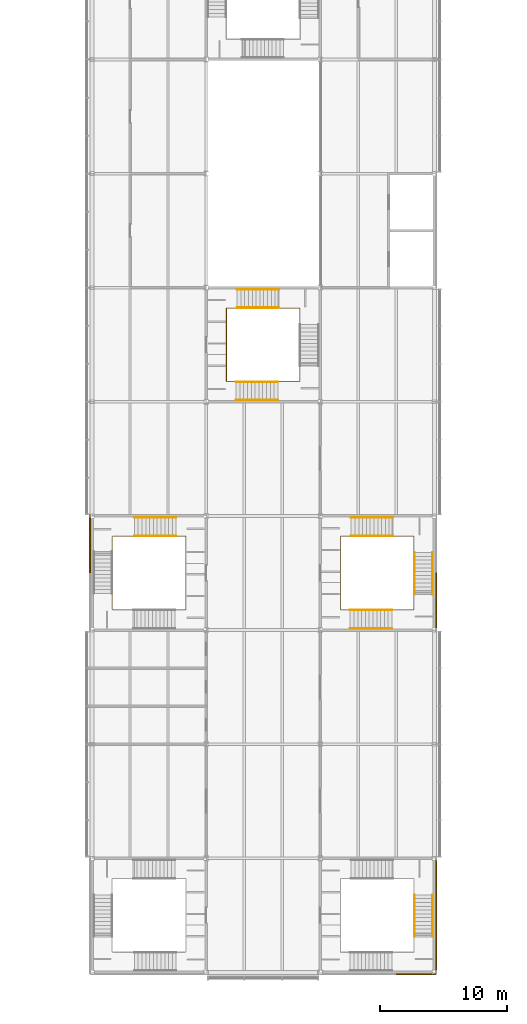
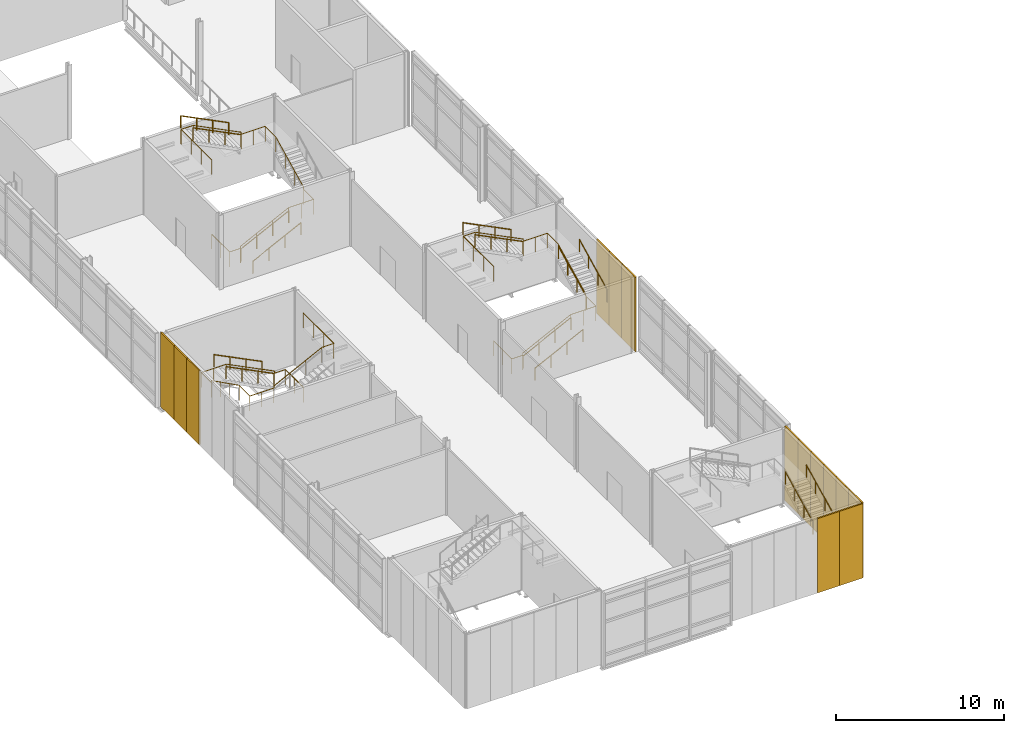
# One storey, part 46 of 53: 17 railings, 14 coverings.
"""IFC4 building model written with IfcOpenShell, lengths in metres."""

from ifc_helpers import new_model, si_unit, direction, frame, origin, origin_2d, place, context, subcontext, project, spatial, rectangle, circle, extrude, material, layer, layer_set, type_object, element, save


model = new_model("IFC4")

# Units and contexts
model_context = context("Model", 3, precision=1e-05, world=origin(), true_north=direction((0.0, 1.0)))
body_context = subcontext(model_context, "Body", "Model", "MODEL_VIEW")
ifc_project = project(units=[si_unit("LENGTHUNIT", "METRE"), si_unit("AREAUNIT", "SQUARE_METRE"), si_unit("VOLUMEUNIT", "CUBIC_METRE"), si_unit("PLANEANGLEUNIT", "RADIAN"), si_unit("MASSUNIT", "GRAM", prefix="KILO")], contexts=[model_context])

# Site, building, storey
site_placement = place(None, origin())
site = spatial("IfcSite", under=ifc_project, at=site_placement, CompositionType="ELEMENT")
building_placement = place(site_placement, origin())
building = spatial("IfcBuilding", under=site, at=building_placement, Name="Azimuth Sports and Learning Centre", CompositionType="ELEMENT")
storey_placement = place(building_placement, frame((0.0, 0.0, 10.800048828125)))
storey = spatial("IfcBuildingStorey", under=building, at=storey_placement, Name="L02", CompositionType="ELEMENT", Elevation=10.800048828125)

# Coverings
ifc_material_1 = material(Name="Cladding panel")
ifc_layer = layer(ifc_material_1, 0.10009765625)
ifc_layer_set = layer_set([ifc_layer], Name="Cladding panel")
covering_type = type_object("IfcCoveringType", Name="Cladding panel 100", PredefinedType="CLADDING", material=ifc_layer_set)
covering_placement = place(storey_placement, frame((71.85009765625, 35.300048828125, 0.0), z_axis=(0.0, 0.0, 1.0), x_axis=(0.0, -1.0, 0.0)))
element("IfcCovering", 1, at=covering_placement, inside=storey, type_object=covering_type, Name="Cladding panel W-ST3 L02 1", PredefinedType="CLADDING", context=body_context, shape_type="SweptSolid", body=[
    extrude(rectangle(XDim=1.60009765625, YDim=0.10009765625, at=origin_2d()), origin(), (0.0, 0.0, 1.0), 5.39990234375),
])
for number, where, z_axis, x_axis, name in (
    (2, (71.85009765625, 33.75, 0.0), (0.0, 0.0, 1.0), (0.0, -1.0, 0.0), "Cladding panel W-ST3 L02 2"),
    (3, (71.85009765625, 32.25, 0.0), (0.0, 0.0, 1.0), (0.0, -1.0, 0.0), "Cladding panel W-ST3 L02 3"),
    (4, (96.75, -0.14990234375, 0.0), (0.0, 0.0, 1.0), (1.0, 0.0, 0.0), "Cladding panel S-ST2 L02 5"),
):
    element("IfcCovering", number, at=place(storey_placement, frame(where, z_axis=z_axis, x_axis=x_axis)), inside=storey, type_object=covering_type, Name=name, PredefinedType="CLADDING", context=body_context, shape_type="SweptSolid", body=[
        extrude(rectangle(XDim=1.5, YDim=0.10009765625, at=origin_2d()), origin(), (0.0, 0.0, 1.0), 5.39990234375),
    ])
for number, where, z_axis, x_axis, name in (
    (5, (98.300048828125, -0.14990234375, 0.0), (0.0, 0.0, 1.0), (1.0, 0.0, 0.0), "Cladding panel S-ST2 L02 6"),
    (6, (99.14990234375, 0.699951171875, 0.0), (0.0, 0.0, 1.0), (0.0, 1.0, 0.0), "Cladding panel E-ST2 L02 1"),
):
    element("IfcCovering", number, at=place(storey_placement, frame(where, z_axis=z_axis, x_axis=x_axis)), inside=storey, type_object=covering_type, Name=name, PredefinedType="CLADDING", context=body_context, shape_type="SweptSolid", body=[
        extrude(rectangle(XDim=1.60009765625, YDim=0.10009765625, at=origin_2d()), origin(), (0.0, 0.0, 1.0), 5.39990234375),
    ])
for number, where, z_axis, x_axis, name in (
    (7, (99.14990234375, 2.25, 0.0), (0.0, 0.0, 1.0), (0.0, 1.0, 0.0), "Cladding panel E-ST2 L02 2"),
    (8, (99.14990234375, 3.75, 0.0), (0.0, 0.0, 1.0), (0.0, 1.0, 0.0), "Cladding panel E-ST2 L02 3"),
    (9, (99.14990234375, 5.25, 0.0), (0.0, 0.0, 1.0), (0.0, 1.0, 0.0), "Cladding panel E-ST2 L02 4"),
    (10, (99.14990234375, 6.75, 0.0), (0.0, 0.0, 1.0), (0.0, 1.0, 0.0), "Cladding panel E-ST2 L02 5"),
):
    element("IfcCovering", number, at=place(storey_placement, frame(where, z_axis=z_axis, x_axis=x_axis)), inside=storey, type_object=covering_type, Name=name, PredefinedType="CLADDING", context=body_context, shape_type="SweptSolid", body=[
        extrude(rectangle(XDim=1.5, YDim=0.10009765625, at=origin_2d()), origin(), (0.0, 0.0, 1.0), 5.39990234375),
    ])
for number, where, z_axis, x_axis, name in (
    (11, (99.14990234375, 8.300048828125, 0.0), (0.0, 0.0, 1.0), (0.0, 1.0, 0.0), "Cladding panel E-ST2 L02 6"),
    (12, (99.14990234375, 27.699951171875, 0.0), (0.0, 0.0, 1.0), (0.0, 1.0, 0.0), "Cladding panel E-ST4 L02 1"),
):
    element("IfcCovering", number, at=place(storey_placement, frame(where, z_axis=z_axis, x_axis=x_axis)), inside=storey, type_object=covering_type, Name=name, PredefinedType="CLADDING", context=body_context, shape_type="SweptSolid", body=[
        extrude(rectangle(XDim=1.60009765625, YDim=0.10009765625, at=origin_2d()), origin(), (0.0, 0.0, 1.0), 5.39990234375),
    ])
for number, where, z_axis, x_axis, name in (
    (13, (99.14990234375, 29.25, 0.0), (0.0, 0.0, 1.0), (0.0, 1.0, 0.0), "Cladding panel E-ST4 L02 2"),
    (14, (99.14990234375, 30.75, 0.0), (0.0, 0.0, 1.0), (0.0, 1.0, 0.0), "Cladding panel E-ST4 L02 3"),
):
    element("IfcCovering", number, at=place(storey_placement, frame(where, z_axis=z_axis, x_axis=x_axis)), inside=storey, type_object=covering_type, Name=name, PredefinedType="CLADDING", context=body_context, shape_type="SweptSolid", body=[
        extrude(rectangle(XDim=1.5, YDim=0.10009765625, at=origin_2d()), origin(), (0.0, 0.0, 1.0), 5.39990234375),
    ])

# Railings
ifc_material_2 = material(Name="Stainless steel", Category="steel")
railing_type_1 = type_object("IfcRailingType", Name="Stair guard 1100", PredefinedType="GUARDRAIL", material=ifc_material_2)
railing_1_placement = place(storey_placement, frame((79.389892578125, 32.25, 0.0)))
element("IfcRailing", 15, at=railing_1_placement, inside=storey, type_object=railing_type_1, Name="Guard ST3 L02 well", PredefinedType="GUARDRAIL", context=body_context, shape_type="SweptSolid", body=[
    extrude(circle(Radius=0.02392578125, at=origin_2d()), frame((0.0, 0.0, 1.076171875), z_axis=(0.0, 1.0, 0.0), x_axis=(-1.0, 0.0, 0.0)), (0.0, 0.0, 1.0), 2.139892578125),
    extrude(circle(Radius=0.02392578125, at=origin_2d()), frame((0.0, 2.139892578125, 1.076171875), z_axis=(-1.0, 0.0, 0.0), x_axis=(0.0, -1.0, 0.0)), (0.0, 0.0, 1.0), 0.75),
    extrude(circle(Radius=0.02392578125, at=origin_2d()), frame((-0.75, 2.139892578125, 1.076171875), z_axis=(0.0, 0.0, 1.0), x_axis=(1.0, 0.0, 0.0)), (0.0, 0.0, 1.0), 0.14990234375),
    extrude(circle(Radius=0.02392578125, at=origin_2d()), frame((-0.75, 2.139892578125, 1.22607421875), z_axis=(-0.894400720042, 0.0, 0.447266533499), x_axis=(0.0, -1.0, 0.0)), (0.0, 0.0, 1.0), 3.689453125),
    extrude(circle(Radius=0.02392578125, at=origin_2d()), frame((-4.0498046875, 2.139892578125, 2.8759765625), z_axis=(-1.0, 0.0, 0.0), x_axis=(0.0, -1.0, 0.0)), (0.0, 0.0, 1.0), 1.72998046875),
    extrude(circle(Radius=0.02392578125, at=origin_2d()), frame((-5.77978515625, 2.139892578125, 2.8759765625), z_axis=(0.0, -1.0, 0.0), x_axis=(1.0, 0.0, 0.0)), (0.0, 0.0, 1.0), 1.199951171875),
    extrude(circle(Radius=0.02392578125, at=origin_2d()), frame((-5.77978515625, 0.93994140625, 2.8759765625), z_axis=(0.0, 0.0, 1.0), x_axis=(1.0, 0.0, 0.0)), (0.0, 0.0, 1.0), 0.14990234375),
    extrude(circle(Radius=0.02392578125, at=origin_2d()), frame((-5.77978515625, 0.93994140625, 3.02587890625), z_axis=(0.0, -0.894440424912, 0.447187126696), x_axis=(1.0, 0.0, 0.0)), (0.0, 0.0, 1.0), 3.689453125),
    extrude(circle(Radius=0.02392578125, at=origin_2d()), frame((-5.77978515625, -2.360107421875, 4.67578125), z_axis=(0.0, -1.0, 0.0), x_axis=(1.0, 0.0, 0.0)), (0.0, 0.0, 1.0), 1.27978515625),
    extrude(circle(Radius=0.02392578125, at=origin_2d()), frame((-5.77978515625, -3.639892578125, 4.67578125), z_axis=(1.0, 0.0, 0.0), x_axis=(0.0, 1.0, 0.0)), (0.0, 0.0, 1.0), 1.64990234375),
    extrude(circle(Radius=0.02392578125, at=origin_2d()), frame((-4.1298828125, -3.639892578125, 4.67578125), z_axis=(0.0, 0.0, 1.0), x_axis=(1.0, 0.0, 0.0)), (0.0, 0.0, 1.0), 0.150146484375),
    extrude(circle(Radius=0.02392578125, at=origin_2d()), frame((-4.1298828125, -3.639892578125, 4.826171875), z_axis=(0.894440424912, 0.0, 0.447187126696), x_axis=(0.0, 1.0, 0.0)), (0.0, 0.0, 1.0), 3.689453125),
    extrude(circle(Radius=0.02392578125, at=origin_2d()), frame((-0.829833984375, -3.639892578125, 6.47607421875), z_axis=(1.0, 0.0, 0.0), x_axis=(0.0, 1.0, 0.0)), (0.0, 0.0, 1.0), 0.829833984375),
    extrude(circle(Radius=0.02392578125, at=origin_2d()), frame((0.0, -3.639892578125, 6.47607421875), z_axis=(0.0, 1.0, 0.0), x_axis=(-1.0, 0.0, 0.0)), (0.0, 0.0, 1.0), 3.639892578125),
    extrude(circle(Radius=0.01611328125, at=origin_2d()), origin(), (0.0, 0.0, 1.0), 1.052001953125),
    extrude(circle(Radius=0.01611328125, at=origin_2d()), frame((0.0, 1.06982421875, 0.0)), (0.0, 0.0, 1.0), 1.052001953125),
    extrude(circle(Radius=0.01611328125, at=origin_2d()), frame((0.0, 2.139892578125, 0.0)), (0.0, 0.0, 1.0), 1.052001953125),
    extrude(circle(Radius=0.01611328125, at=origin_2d()), frame((-0.75, 2.139892578125, 0.0)), (0.0, 0.0, 1.0), 1.052001953125),
    extrude(circle(Radius=0.01611328125, at=origin_2d()), frame((-0.75, 2.139892578125, 0.14990234375)), (0.0, 0.0, 1.0), 1.052001953125),
    extrude(circle(Radius=0.01611328125, at=origin_2d()), frame((-1.849853515625, 2.139892578125, 0.699951171875)), (0.0, 0.0, 1.0), 1.052001953125),
    extrude(circle(Radius=0.01611328125, at=origin_2d()), frame((-2.949951171875, 2.139892578125, 1.25)), (0.0, 0.0, 1.0), 1.052001953125),
    extrude(circle(Radius=0.01611328125, at=origin_2d()), frame((-4.0498046875, 2.139892578125, 1.800048828125)), (0.0, 0.0, 1.0), 1.052001953125),
    extrude(circle(Radius=0.01611328125, at=origin_2d()), frame((-4.914794921875, 2.139892578125, 1.800048828125)), (0.0, 0.0, 1.0), 1.052001953125),
    extrude(circle(Radius=0.01611328125, at=origin_2d()), frame((-5.77978515625, 2.139892578125, 1.800048828125)), (0.0, 0.0, 1.0), 1.052001953125),
    extrude(circle(Radius=0.01611328125, at=origin_2d()), frame((-5.77978515625, 0.93994140625, 1.800048828125)), (0.0, 0.0, 1.0), 1.052001953125),
    extrude(circle(Radius=0.01611328125, at=origin_2d()), frame((-5.77978515625, 0.93994140625, 1.949951171875)), (0.0, 0.0, 1.0), 1.052001953125),
    extrude(circle(Radius=0.01611328125, at=origin_2d()), frame((-5.77978515625, -0.16015625, 2.5)), (0.0, 0.0, 1.0), 1.052001953125),
    extrude(circle(Radius=0.01611328125, at=origin_2d()), frame((-5.77978515625, -1.260009765625, 3.0498046875)), (0.0, 0.0, 1.0), 1.052001953125),
    extrude(circle(Radius=0.01611328125, at=origin_2d()), frame((-5.77978515625, -2.360107421875, 3.599853515625)), (0.0, 0.0, 1.0), 1.052001953125),
    extrude(circle(Radius=0.01611328125, at=origin_2d()), frame((-5.77978515625, -3.639892578125, 3.599853515625)), (0.0, 0.0, 1.0), 1.052001953125),
    extrude(circle(Radius=0.01611328125, at=origin_2d()), frame((-4.954833984375, -3.639892578125, 3.599853515625)), (0.0, 0.0, 1.0), 1.052001953125),
    extrude(circle(Radius=0.01611328125, at=origin_2d()), frame((-4.1298828125, -3.639892578125, 3.599853515625)), (0.0, 0.0, 1.0), 1.052001953125),
    extrude(circle(Radius=0.01611328125, at=origin_2d()), frame((-4.1298828125, -3.639892578125, 3.75)), (0.0, 0.0, 1.0), 1.052001953125),
    extrude(circle(Radius=0.01611328125, at=origin_2d()), frame((-3.02978515625, -3.639892578125, 4.300048828125)), (0.0, 0.0, 1.0), 1.052001953125),
    extrude(circle(Radius=0.01611328125, at=origin_2d()), frame((-1.929931640625, -3.639892578125, 4.849853515625)), (0.0, 0.0, 1.0), 1.052001953125),
    extrude(circle(Radius=0.01611328125, at=origin_2d()), frame((-0.829833984375, -3.639892578125, 5.39990234375)), (0.0, 0.0, 1.0), 1.052001953125),
    extrude(circle(Radius=0.01611328125, at=origin_2d()), frame((0.0, -3.639892578125, 5.39990234375)), (0.0, 0.0, 1.0), 1.052001953125),
    extrude(circle(Radius=0.01611328125, at=origin_2d()), frame((0.0, -2.426513671875, 5.39990234375)), (0.0, 0.0, 1.0), 1.052001953125),
    extrude(circle(Radius=0.01611328125, at=origin_2d()), frame((0.0, -1.21337890625, 5.39990234375)), (0.0, 0.0, 1.0), 1.052001953125),
    extrude(circle(Radius=0.01611328125, at=origin_2d()), frame((0.0, 0.0, 5.39990234375)), (0.0, 0.0, 1.0), 1.052001953125),
])
railing_2_placement = place(storey_placement, frame((91.610107421875, 30.75, 0.0)))
element("IfcRailing", 16, at=railing_2_placement, inside=storey, type_object=railing_type_1, Name="Guard ST4 L02 well", PredefinedType="GUARDRAIL", context=body_context, shape_type="SweptSolid", body=[
    extrude(circle(Radius=0.02392578125, at=origin_2d()), frame((0.0, 0.0, 1.076171875), z_axis=(0.0, -1.0, 0.0), x_axis=(1.0, 0.0, 0.0)), (0.0, 0.0, 1.0), 2.139892578125),
    extrude(circle(Radius=0.02392578125, at=origin_2d()), frame((0.0, -2.139892578125, 1.076171875), z_axis=(1.0, 0.0, 0.0), x_axis=(0.0, 1.0, 0.0)), (0.0, 0.0, 1.0), 0.75),
    extrude(circle(Radius=0.02392578125, at=origin_2d()), frame((0.75, -2.139892578125, 1.076171875), z_axis=(0.0, 0.0, 1.0), x_axis=(1.0, 0.0, 0.0)), (0.0, 0.0, 1.0), 0.14990234375),
    extrude(circle(Radius=0.02392578125, at=origin_2d()), frame((0.75, -2.139892578125, 1.22607421875), z_axis=(0.894400720042, 0.0, 0.447266533499), x_axis=(0.0, 1.0, 0.0)), (0.0, 0.0, 1.0), 3.689453125),
    extrude(circle(Radius=0.02392578125, at=origin_2d()), frame((4.0498046875, -2.139892578125, 2.8759765625), z_axis=(1.0, 0.0, 0.0), x_axis=(0.0, 1.0, 0.0)), (0.0, 0.0, 1.0), 1.72998046875),
    extrude(circle(Radius=0.02392578125, at=origin_2d()), frame((5.77978515625, -2.139892578125, 2.8759765625), z_axis=(0.0, 1.0, 0.0), x_axis=(-1.0, 0.0, 0.0)), (0.0, 0.0, 1.0), 1.199951171875),
    extrude(circle(Radius=0.02392578125, at=origin_2d()), frame((5.77978515625, -0.93994140625, 2.8759765625), z_axis=(0.0, 0.0, 1.0), x_axis=(1.0, 0.0, 0.0)), (0.0, 0.0, 1.0), 0.14990234375),
    extrude(circle(Radius=0.02392578125, at=origin_2d()), frame((5.77978515625, -0.93994140625, 3.02587890625), z_axis=(0.0, 0.894440424912, 0.447187126696), x_axis=(-1.0, 0.0, 0.0)), (0.0, 0.0, 1.0), 3.689453125),
    extrude(circle(Radius=0.02392578125, at=origin_2d()), frame((5.77978515625, 2.360107421875, 4.67578125), z_axis=(0.0, 1.0, 0.0), x_axis=(-1.0, 0.0, 0.0)), (0.0, 0.0, 1.0), 1.27978515625),
    extrude(circle(Radius=0.02392578125, at=origin_2d()), frame((5.77978515625, 3.639892578125, 4.67578125), z_axis=(-1.0, 0.0, 0.0), x_axis=(0.0, -1.0, 0.0)), (0.0, 0.0, 1.0), 1.64990234375),
    extrude(circle(Radius=0.02392578125, at=origin_2d()), frame((4.1298828125, 3.639892578125, 4.67578125), z_axis=(0.0, 0.0, 1.0), x_axis=(1.0, 0.0, 0.0)), (0.0, 0.0, 1.0), 0.150146484375),
    extrude(circle(Radius=0.02392578125, at=origin_2d()), frame((4.1298828125, 3.639892578125, 4.826171875), z_axis=(-0.894440424912, 0.0, 0.447187126696), x_axis=(0.0, -1.0, 0.0)), (0.0, 0.0, 1.0), 3.689453125),
    extrude(circle(Radius=0.02392578125, at=origin_2d()), frame((0.829833984375, 3.639892578125, 6.47607421875), z_axis=(-1.0, 0.0, 0.0), x_axis=(0.0, -1.0, 0.0)), (0.0, 0.0, 1.0), 0.829833984375),
    extrude(circle(Radius=0.02392578125, at=origin_2d()), frame((0.0, 3.639892578125, 6.47607421875), z_axis=(0.0, -1.0, 0.0), x_axis=(1.0, 0.0, 0.0)), (0.0, 0.0, 1.0), 3.639892578125),
    extrude(circle(Radius=0.01611328125, at=origin_2d()), origin(), (0.0, 0.0, 1.0), 1.052001953125),
    extrude(circle(Radius=0.01611328125, at=origin_2d()), frame((0.0, -1.06982421875, 0.0)), (0.0, 0.0, 1.0), 1.052001953125),
    extrude(circle(Radius=0.01611328125, at=origin_2d()), frame((0.0, -2.139892578125, 0.0)), (0.0, 0.0, 1.0), 1.052001953125),
    extrude(circle(Radius=0.01611328125, at=origin_2d()), frame((0.75, -2.139892578125, 0.0)), (0.0, 0.0, 1.0), 1.052001953125),
    extrude(circle(Radius=0.01611328125, at=origin_2d()), frame((0.75, -2.139892578125, 0.14990234375)), (0.0, 0.0, 1.0), 1.052001953125),
    extrude(circle(Radius=0.01611328125, at=origin_2d()), frame((1.849853515625, -2.139892578125, 0.699951171875)), (0.0, 0.0, 1.0), 1.052001953125),
    extrude(circle(Radius=0.01611328125, at=origin_2d()), frame((2.949951171875, -2.139892578125, 1.25)), (0.0, 0.0, 1.0), 1.052001953125),
    extrude(circle(Radius=0.01611328125, at=origin_2d()), frame((4.0498046875, -2.139892578125, 1.800048828125)), (0.0, 0.0, 1.0), 1.052001953125),
    extrude(circle(Radius=0.01611328125, at=origin_2d()), frame((4.914794921875, -2.139892578125, 1.800048828125)), (0.0, 0.0, 1.0), 1.052001953125),
    extrude(circle(Radius=0.01611328125, at=origin_2d()), frame((5.77978515625, -2.139892578125, 1.800048828125)), (0.0, 0.0, 1.0), 1.052001953125),
    extrude(circle(Radius=0.01611328125, at=origin_2d()), frame((5.77978515625, -0.93994140625, 1.800048828125)), (0.0, 0.0, 1.0), 1.052001953125),
    extrude(circle(Radius=0.01611328125, at=origin_2d()), frame((5.77978515625, -0.93994140625, 1.949951171875)), (0.0, 0.0, 1.0), 1.052001953125),
    extrude(circle(Radius=0.01611328125, at=origin_2d()), frame((5.77978515625, 0.16015625, 2.5)), (0.0, 0.0, 1.0), 1.052001953125),
    extrude(circle(Radius=0.01611328125, at=origin_2d()), frame((5.77978515625, 1.260009765625, 3.0498046875)), (0.0, 0.0, 1.0), 1.052001953125),
    extrude(circle(Radius=0.01611328125, at=origin_2d()), frame((5.77978515625, 2.360107421875, 3.599853515625)), (0.0, 0.0, 1.0), 1.052001953125),
    extrude(circle(Radius=0.01611328125, at=origin_2d()), frame((5.77978515625, 3.639892578125, 3.599853515625)), (0.0, 0.0, 1.0), 1.052001953125),
    extrude(circle(Radius=0.01611328125, at=origin_2d()), frame((4.954833984375, 3.639892578125, 3.599853515625)), (0.0, 0.0, 1.0), 1.052001953125),
    extrude(circle(Radius=0.01611328125, at=origin_2d()), frame((4.1298828125, 3.639892578125, 3.599853515625)), (0.0, 0.0, 1.0), 1.052001953125),
    extrude(circle(Radius=0.01611328125, at=origin_2d()), frame((4.1298828125, 3.639892578125, 3.75)), (0.0, 0.0, 1.0), 1.052001953125),
    extrude(circle(Radius=0.01611328125, at=origin_2d()), frame((3.02978515625, 3.639892578125, 4.300048828125)), (0.0, 0.0, 1.0), 1.052001953125),
    extrude(circle(Radius=0.01611328125, at=origin_2d()), frame((1.929931640625, 3.639892578125, 4.849853515625)), (0.0, 0.0, 1.0), 1.052001953125),
    extrude(circle(Radius=0.01611328125, at=origin_2d()), frame((0.829833984375, 3.639892578125, 5.39990234375)), (0.0, 0.0, 1.0), 1.052001953125),
    extrude(circle(Radius=0.01611328125, at=origin_2d()), frame((0.0, 3.639892578125, 5.39990234375)), (0.0, 0.0, 1.0), 1.052001953125),
    extrude(circle(Radius=0.01611328125, at=origin_2d()), frame((0.0, 2.426513671875, 5.39990234375)), (0.0, 0.0, 1.0), 1.052001953125),
    extrude(circle(Radius=0.01611328125, at=origin_2d()), frame((0.0, 1.21337890625, 5.39990234375)), (0.0, 0.0, 1.0), 1.052001953125),
    extrude(circle(Radius=0.01611328125, at=origin_2d()), frame((0.0, 0.0, 5.39990234375)), (0.0, 0.0, 1.0), 1.052001953125),
])
railing_3_placement = place(storey_placement, frame((82.610107421875, 48.75, 0.0)))
element("IfcRailing", 17, at=railing_3_placement, inside=storey, type_object=railing_type_1, Name="Guard STC L02 well", PredefinedType="GUARDRAIL", context=body_context, shape_type="SweptSolid", body=[
    extrude(circle(Radius=0.02392578125, at=origin_2d()), frame((0.0, 0.0, 1.076171875), z_axis=(0.0, -1.0, 0.0), x_axis=(1.0, 0.0, 0.0)), (0.0, 0.0, 1.0), 2.139892578125),
    extrude(circle(Radius=0.02392578125, at=origin_2d()), frame((0.0, -2.139892578125, 1.076171875), z_axis=(1.0, 0.0, 0.0), x_axis=(0.0, 1.0, 0.0)), (0.0, 0.0, 1.0), 0.75),
    extrude(circle(Radius=0.02392578125, at=origin_2d()), frame((0.75, -2.139892578125, 1.076171875), z_axis=(0.0, 0.0, 1.0), x_axis=(1.0, 0.0, 0.0)), (0.0, 0.0, 1.0), 0.14990234375),
    extrude(circle(Radius=0.02392578125, at=origin_2d()), frame((0.75, -2.139892578125, 1.22607421875), z_axis=(0.894400720042, 0.0, 0.447266533499), x_axis=(0.0, 1.0, 0.0)), (0.0, 0.0, 1.0), 3.689453125),
    extrude(circle(Radius=0.02392578125, at=origin_2d()), frame((4.0498046875, -2.139892578125, 2.8759765625), z_axis=(1.0, 0.0, 0.0), x_axis=(0.0, 1.0, 0.0)), (0.0, 0.0, 1.0), 1.72998046875),
    extrude(circle(Radius=0.02392578125, at=origin_2d()), frame((5.77978515625, -2.139892578125, 2.8759765625), z_axis=(0.0, 1.0, 0.0), x_axis=(-1.0, 0.0, 0.0)), (0.0, 0.0, 1.0), 1.199951171875),
    extrude(circle(Radius=0.02392578125, at=origin_2d()), frame((5.77978515625, -0.93994140625, 2.8759765625), z_axis=(0.0, 0.0, 1.0), x_axis=(1.0, 0.0, 0.0)), (0.0, 0.0, 1.0), 0.14990234375),
    extrude(circle(Radius=0.02392578125, at=origin_2d()), frame((5.77978515625, -0.93994140625, 3.02587890625), z_axis=(0.0, 0.894440424912, 0.447187126696), x_axis=(-1.0, 0.0, 0.0)), (0.0, 0.0, 1.0), 3.689453125),
    extrude(circle(Radius=0.02392578125, at=origin_2d()), frame((5.77978515625, 2.360107421875, 4.67578125), z_axis=(0.0, 1.0, 0.0), x_axis=(-1.0, 0.0, 0.0)), (0.0, 0.0, 1.0), 1.27978515625),
    extrude(circle(Radius=0.02392578125, at=origin_2d()), frame((5.77978515625, 3.639892578125, 4.67578125), z_axis=(-1.0, 0.0, 0.0), x_axis=(0.0, -1.0, 0.0)), (0.0, 0.0, 1.0), 1.64990234375),
    extrude(circle(Radius=0.02392578125, at=origin_2d()), frame((4.1298828125, 3.639892578125, 4.67578125), z_axis=(0.0, 0.0, 1.0), x_axis=(1.0, 0.0, 0.0)), (0.0, 0.0, 1.0), 0.150146484375),
    extrude(circle(Radius=0.02392578125, at=origin_2d()), frame((4.1298828125, 3.639892578125, 4.826171875), z_axis=(-0.894440424912, 0.0, 0.447187126696), x_axis=(0.0, -1.0, 0.0)), (0.0, 0.0, 1.0), 3.689453125),
    extrude(circle(Radius=0.02392578125, at=origin_2d()), frame((0.829833984375, 3.639892578125, 6.47607421875), z_axis=(-1.0, 0.0, 0.0), x_axis=(0.0, -1.0, 0.0)), (0.0, 0.0, 1.0), 0.829833984375),
    extrude(circle(Radius=0.02392578125, at=origin_2d()), frame((0.0, 3.639892578125, 6.47607421875), z_axis=(0.0, -1.0, 0.0), x_axis=(1.0, 0.0, 0.0)), (0.0, 0.0, 1.0), 3.639892578125),
    extrude(circle(Radius=0.01611328125, at=origin_2d()), origin(), (0.0, 0.0, 1.0), 1.052001953125),
    extrude(circle(Radius=0.01611328125, at=origin_2d()), frame((0.0, -1.06982421875, 0.0)), (0.0, 0.0, 1.0), 1.052001953125),
    extrude(circle(Radius=0.01611328125, at=origin_2d()), frame((0.0, -2.139892578125, 0.0)), (0.0, 0.0, 1.0), 1.052001953125),
    extrude(circle(Radius=0.01611328125, at=origin_2d()), frame((0.75, -2.139892578125, 0.0)), (0.0, 0.0, 1.0), 1.052001953125),
    extrude(circle(Radius=0.01611328125, at=origin_2d()), frame((0.75, -2.139892578125, 0.14990234375)), (0.0, 0.0, 1.0), 1.052001953125),
    extrude(circle(Radius=0.01611328125, at=origin_2d()), frame((1.849853515625, -2.139892578125, 0.699951171875)), (0.0, 0.0, 1.0), 1.052001953125),
    extrude(circle(Radius=0.01611328125, at=origin_2d()), frame((2.949951171875, -2.139892578125, 1.25)), (0.0, 0.0, 1.0), 1.052001953125),
    extrude(circle(Radius=0.01611328125, at=origin_2d()), frame((4.0498046875, -2.139892578125, 1.800048828125)), (0.0, 0.0, 1.0), 1.052001953125),
    extrude(circle(Radius=0.01611328125, at=origin_2d()), frame((4.914794921875, -2.139892578125, 1.800048828125)), (0.0, 0.0, 1.0), 1.052001953125),
    extrude(circle(Radius=0.01611328125, at=origin_2d()), frame((5.77978515625, -2.139892578125, 1.800048828125)), (0.0, 0.0, 1.0), 1.052001953125),
    extrude(circle(Radius=0.01611328125, at=origin_2d()), frame((5.77978515625, -0.93994140625, 1.800048828125)), (0.0, 0.0, 1.0), 1.052001953125),
    extrude(circle(Radius=0.01611328125, at=origin_2d()), frame((5.77978515625, -0.93994140625, 1.949951171875)), (0.0, 0.0, 1.0), 1.052001953125),
    extrude(circle(Radius=0.01611328125, at=origin_2d()), frame((5.77978515625, 0.16015625, 2.5)), (0.0, 0.0, 1.0), 1.052001953125),
    extrude(circle(Radius=0.01611328125, at=origin_2d()), frame((5.77978515625, 1.260009765625, 3.0498046875)), (0.0, 0.0, 1.0), 1.052001953125),
    extrude(circle(Radius=0.01611328125, at=origin_2d()), frame((5.77978515625, 2.360107421875, 3.599853515625)), (0.0, 0.0, 1.0), 1.052001953125),
    extrude(circle(Radius=0.01611328125, at=origin_2d()), frame((5.77978515625, 3.639892578125, 3.599853515625)), (0.0, 0.0, 1.0), 1.052001953125),
    extrude(circle(Radius=0.01611328125, at=origin_2d()), frame((4.954833984375, 3.639892578125, 3.599853515625)), (0.0, 0.0, 1.0), 1.052001953125),
    extrude(circle(Radius=0.01611328125, at=origin_2d()), frame((4.1298828125, 3.639892578125, 3.599853515625)), (0.0, 0.0, 1.0), 1.052001953125),
    extrude(circle(Radius=0.01611328125, at=origin_2d()), frame((4.1298828125, 3.639892578125, 3.75)), (0.0, 0.0, 1.0), 1.052001953125),
    extrude(circle(Radius=0.01611328125, at=origin_2d()), frame((3.02978515625, 3.639892578125, 4.300048828125)), (0.0, 0.0, 1.0), 1.052001953125),
    extrude(circle(Radius=0.01611328125, at=origin_2d()), frame((1.929931640625, 3.639892578125, 4.849853515625)), (0.0, 0.0, 1.0), 1.052001953125),
    extrude(circle(Radius=0.01611328125, at=origin_2d()), frame((0.829833984375, 3.639892578125, 5.39990234375)), (0.0, 0.0, 1.0), 1.052001953125),
    extrude(circle(Radius=0.01611328125, at=origin_2d()), frame((0.0, 3.639892578125, 5.39990234375)), (0.0, 0.0, 1.0), 1.052001953125),
    extrude(circle(Radius=0.01611328125, at=origin_2d()), frame((0.0, 2.426513671875, 5.39990234375)), (0.0, 0.0, 1.0), 1.052001953125),
    extrude(circle(Radius=0.01611328125, at=origin_2d()), frame((0.0, 1.21337890625, 5.39990234375)), (0.0, 0.0, 1.0), 1.052001953125),
    extrude(circle(Radius=0.01611328125, at=origin_2d()), frame((0.0, 0.0, 5.39990234375)), (0.0, 0.0, 1.0), 1.052001953125),
])
ifc_material_3 = material(Name="Stainless steel", Category="steel")
railing_type_2 = type_object("IfcRailingType", Name="Stair handrail 42", PredefinedType="HANDRAIL", material=ifc_material_3)
for number, where, name in (
    (18, (97.419921875, 2.81005859375, 1.949951171875), "Handrail ST2 L02 flight 2 inner"),
    (19, (98.860107421875, 2.81005859375, 1.949951171875), "Handrail ST2 L02 flight 2 outer"),
):
    element("IfcRailing", number, at=place(storey_placement, frame(where)), inside=storey, type_object=railing_type_2, Name=name, PredefinedType="HANDRAIL", context=body_context, shape_type="SweptSolid", body=[
        extrude(circle(Radius=0.02099609375, at=origin_2d()), frame((0.0, 0.0, 0.87890625), z_axis=(0.0, 0.894440424912, 0.447187126696), x_axis=(-1.0, 0.0, 0.0)), (0.0, 0.0, 1.0), 3.689453125),
        extrude(circle(Radius=0.01611328125, at=origin_2d()), origin(), (0.0, 0.0, 1.0), 0.85791015625),
        extrude(circle(Radius=0.01611328125, at=origin_2d()), frame((0.0, 1.10009765625, 0.550048828125)), (0.0, 0.0, 1.0), 0.85791015625),
        extrude(circle(Radius=0.01611328125, at=origin_2d()), frame((0.0, 2.199951171875, 1.099853515625)), (0.0, 0.0, 1.0), 0.85791015625),
        extrude(circle(Radius=0.01611328125, at=origin_2d()), frame((0.0, 3.300048828125, 1.64990234375)), (0.0, 0.0, 1.0), 0.85791015625),
    ])
for number, where, name in (
    (20, (78.639892578125, 34.419921875, 0.14990234375), "Handrail ST3 L02 flight 1 inner"),
    (21, (78.639892578125, 35.860107421875, 0.14990234375), "Handrail ST3 L02 flight 1 outer"),
):
    element("IfcRailing", number, at=place(storey_placement, frame(where)), inside=storey, type_object=railing_type_2, Name=name, PredefinedType="HANDRAIL", context=body_context, shape_type="SweptSolid", body=[
        extrude(circle(Radius=0.02099609375, at=origin_2d()), frame((0.0, 0.0, 0.87890625), z_axis=(-0.894400720042, 0.0, 0.447266533499), x_axis=(0.0, -1.0, 0.0)), (0.0, 0.0, 1.0), 3.689453125),
        extrude(circle(Radius=0.01611328125, at=origin_2d()), origin(), (0.0, 0.0, 1.0), 0.85791015625),
        extrude(circle(Radius=0.01611328125, at=origin_2d()), frame((-1.099853515625, 0.0, 0.550048828125)), (0.0, 0.0, 1.0), 0.85791015625),
        extrude(circle(Radius=0.01611328125, at=origin_2d()), frame((-2.199951171875, 0.0, 1.10009765625)), (0.0, 0.0, 1.0), 0.85791015625),
        extrude(circle(Radius=0.01611328125, at=origin_2d()), frame((-3.2998046875, 0.0, 1.650146484375)), (0.0, 0.0, 1.0), 0.85791015625),
    ])
for number, where, name in (
    (22, (92.360107421875, 28.580078125, 0.14990234375), "Handrail ST4 L02 flight 1 inner"),
    (23, (92.360107421875, 27.139892578125, 0.14990234375), "Handrail ST4 L02 flight 1 outer"),
):
    element("IfcRailing", number, at=place(storey_placement, frame(where)), inside=storey, type_object=railing_type_2, Name=name, PredefinedType="HANDRAIL", context=body_context, shape_type="SweptSolid", body=[
        extrude(circle(Radius=0.02099609375, at=origin_2d()), frame((0.0, 0.0, 0.87890625), z_axis=(0.894400720042, 0.0, 0.447266533499), x_axis=(0.0, 1.0, 0.0)), (0.0, 0.0, 1.0), 3.689453125),
        extrude(circle(Radius=0.01611328125, at=origin_2d()), origin(), (0.0, 0.0, 1.0), 0.85791015625),
        extrude(circle(Radius=0.01611328125, at=origin_2d()), frame((1.099853515625, 0.0, 0.550048828125)), (0.0, 0.0, 1.0), 0.85791015625),
        extrude(circle(Radius=0.01611328125, at=origin_2d()), frame((2.199951171875, 0.0, 1.10009765625)), (0.0, 0.0, 1.0), 0.85791015625),
        extrude(circle(Radius=0.01611328125, at=origin_2d()), frame((3.2998046875, 0.0, 1.650146484375)), (0.0, 0.0, 1.0), 0.85791015625),
    ])
for number, where, name in (
    (24, (97.419921875, 29.81005859375, 1.949951171875), "Handrail ST4 L02 flight 2 inner"),
    (25, (98.860107421875, 29.81005859375, 1.949951171875), "Handrail ST4 L02 flight 2 outer"),
):
    element("IfcRailing", number, at=place(storey_placement, frame(where)), inside=storey, type_object=railing_type_2, Name=name, PredefinedType="HANDRAIL", context=body_context, shape_type="SweptSolid", body=[
        extrude(circle(Radius=0.02099609375, at=origin_2d()), frame((0.0, 0.0, 0.87890625), z_axis=(0.0, 0.894440424912, 0.447187126696), x_axis=(-1.0, 0.0, 0.0)), (0.0, 0.0, 1.0), 3.689453125),
        extrude(circle(Radius=0.01611328125, at=origin_2d()), origin(), (0.0, 0.0, 1.0), 0.85791015625),
        extrude(circle(Radius=0.01611328125, at=origin_2d()), frame((0.0, 1.10009765625, 0.550048828125)), (0.0, 0.0, 1.0), 0.85791015625),
        extrude(circle(Radius=0.01611328125, at=origin_2d()), frame((0.0, 2.199951171875, 1.099853515625)), (0.0, 0.0, 1.0), 0.85791015625),
        extrude(circle(Radius=0.01611328125, at=origin_2d()), frame((0.0, 3.300048828125, 1.64990234375)), (0.0, 0.0, 1.0), 0.85791015625),
    ])
for number, where, name in (
    (26, (95.739990234375, 34.419921875, 3.75), "Handrail ST4 L02 flight 3 inner"),
    (27, (95.739990234375, 35.860107421875, 3.75), "Handrail ST4 L02 flight 3 outer"),
):
    element("IfcRailing", number, at=place(storey_placement, frame(where)), inside=storey, type_object=railing_type_2, Name=name, PredefinedType="HANDRAIL", context=body_context, shape_type="SweptSolid", body=[
        extrude(circle(Radius=0.02099609375, at=origin_2d()), frame((0.0, 0.0, 0.87890625), z_axis=(-0.894440424912, 0.0, 0.447187126696), x_axis=(0.0, -1.0, 0.0)), (0.0, 0.0, 1.0), 3.689453125),
        extrude(circle(Radius=0.01611328125, at=origin_2d()), origin(), (0.0, 0.0, 1.0), 0.85791015625),
        extrude(circle(Radius=0.01611328125, at=origin_2d()), frame((-1.10009765625, 0.0, 0.550048828125)), (0.0, 0.0, 1.0), 0.85791015625),
        extrude(circle(Radius=0.01611328125, at=origin_2d()), frame((-2.199951171875, 0.0, 1.099853515625)), (0.0, 0.0, 1.0), 0.85791015625),
        extrude(circle(Radius=0.01611328125, at=origin_2d()), frame((-3.300048828125, 0.0, 1.64990234375)), (0.0, 0.0, 1.0), 0.85791015625),
    ])
for number, where, name in (
    (28, (83.360107421875, 46.580078125, 0.14990234375), "Handrail STC L02 flight 1 inner"),
    (29, (83.360107421875, 45.139892578125, 0.14990234375), "Handrail STC L02 flight 1 outer"),
):
    element("IfcRailing", number, at=place(storey_placement, frame(where)), inside=storey, type_object=railing_type_2, Name=name, PredefinedType="HANDRAIL", context=body_context, shape_type="SweptSolid", body=[
        extrude(circle(Radius=0.02099609375, at=origin_2d()), frame((0.0, 0.0, 0.87890625), z_axis=(0.894400720042, 0.0, 0.447266533499), x_axis=(0.0, 1.0, 0.0)), (0.0, 0.0, 1.0), 3.689453125),
        extrude(circle(Radius=0.01611328125, at=origin_2d()), origin(), (0.0, 0.0, 1.0), 0.85791015625),
        extrude(circle(Radius=0.01611328125, at=origin_2d()), frame((1.099853515625, 0.0, 0.550048828125)), (0.0, 0.0, 1.0), 0.85791015625),
        extrude(circle(Radius=0.01611328125, at=origin_2d()), frame((2.199951171875, 0.0, 1.10009765625)), (0.0, 0.0, 1.0), 0.85791015625),
        extrude(circle(Radius=0.01611328125, at=origin_2d()), frame((3.2998046875, 0.0, 1.650146484375)), (0.0, 0.0, 1.0), 0.85791015625),
    ])
for number, where, name in (
    (30, (86.739990234375, 52.419921875, 3.75), "Handrail STC L02 flight 3 inner"),
    (31, (86.739990234375, 53.860107421875, 3.75), "Handrail STC L02 flight 3 outer"),
):
    element("IfcRailing", number, at=place(storey_placement, frame(where)), inside=storey, type_object=railing_type_2, Name=name, PredefinedType="HANDRAIL", context=body_context, shape_type="SweptSolid", body=[
        extrude(circle(Radius=0.02099609375, at=origin_2d()), frame((0.0, 0.0, 0.87890625), z_axis=(-0.894440424912, 0.0, 0.447187126696), x_axis=(0.0, -1.0, 0.0)), (0.0, 0.0, 1.0), 3.689453125),
        extrude(circle(Radius=0.01611328125, at=origin_2d()), origin(), (0.0, 0.0, 1.0), 0.85791015625),
        extrude(circle(Radius=0.01611328125, at=origin_2d()), frame((-1.10009765625, 0.0, 0.550048828125)), (0.0, 0.0, 1.0), 0.85791015625),
        extrude(circle(Radius=0.01611328125, at=origin_2d()), frame((-2.199951171875, 0.0, 1.099853515625)), (0.0, 0.0, 1.0), 0.85791015625),
        extrude(circle(Radius=0.01611328125, at=origin_2d()), frame((-3.300048828125, 0.0, 1.64990234375)), (0.0, 0.0, 1.0), 0.85791015625),
    ])

save(model, "model.ifc")
